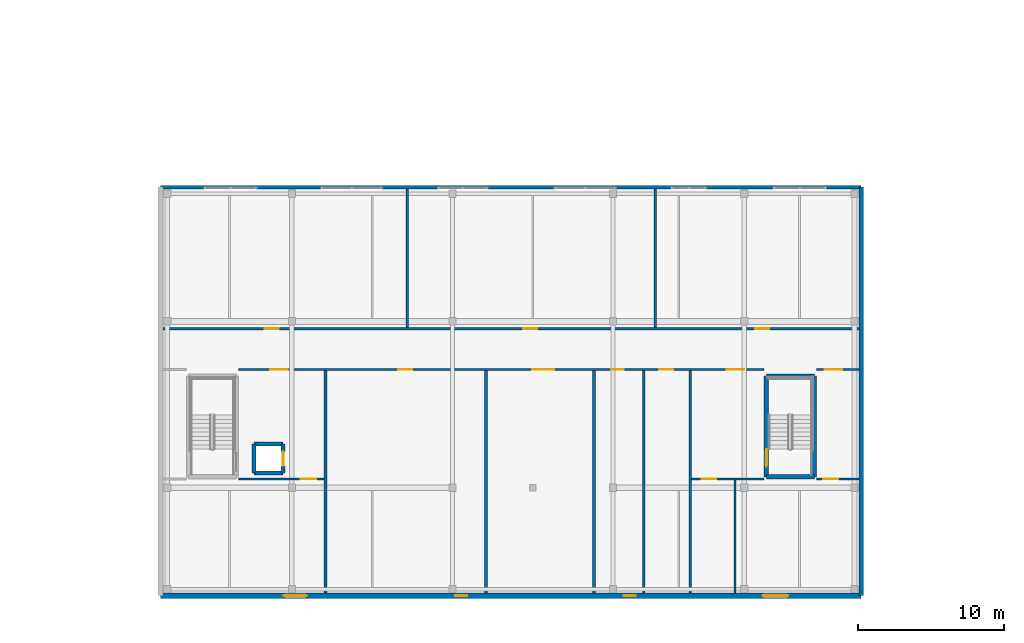
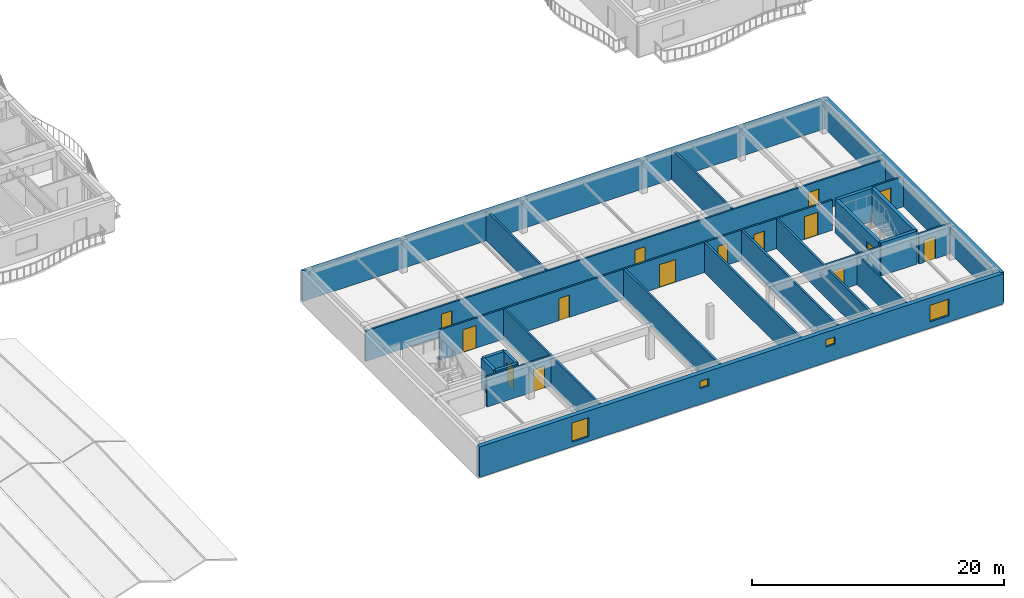
# One storey, part 58 of 89: 25 walls, 15 doors, 4 windows, 19 openings.
"""IFC4 building model written with IfcOpenShell, lengths in metres."""

from ifc_helpers import new_model, si_unit, direction, frame, frame_2d, origin, place, context, subcontext, project, spatial, rectangle, extrude, material, layer, layer_set, type_object, element, fill, save


model = new_model("IFC4")

# Units and contexts
model_context = context("Model", 3, precision=1e-05, world=origin(), true_north=direction((0.0, 1.0)))
body_context = subcontext(model_context, "Body", "Model", "MODEL_VIEW")
ifc_project = project(units=[si_unit("LENGTHUNIT", "METRE"), si_unit("AREAUNIT", "SQUARE_METRE"), si_unit("VOLUMEUNIT", "CUBIC_METRE"), si_unit("PLANEANGLEUNIT", "RADIAN"), si_unit("MASSUNIT", "GRAM", prefix="KILO")], contexts=[model_context])

# Site, building, storey
site_placement = place(None, origin())
site = spatial("IfcSite", under=ifc_project, at=site_placement, CompositionType="ELEMENT")
building_placement = place(site_placement, origin())
building = spatial("IfcBuilding", under=site, at=building_placement, Name="Keldmere Railside Commons", CompositionType="ELEMENT")
storey_placement = place(building_placement, frame((0.0, 0.0, 7.360107421875)))
storey = spatial("IfcBuildingStorey", under=building, at=storey_placement, Name="L02", CompositionType="ELEMENT", Elevation=7.360107421875)

# Walls
ifc_material_1 = material(Name="Acoustic Gypsum Board Partition", Category="gypsum")
ifc_layer_1 = layer(ifc_material_1, 0.179931640625, Name="Acoustic Demising Partition 180")
ifc_layer_set_1 = layer_set([ifc_layer_1], Name="Acoustic Gypsum Board Partition")
wall_type_1 = type_object("IfcWallType", Name="Acoustic Demising Partition 180", PredefinedType="PARTITIONING", material=ifc_layer_set_1)
for number, where, z_axis, x_axis, name in (
    (1, (139.300048828125, 12.199951171875, 0.0), (0.0, 0.0, 1.0), (0.0, 1.0, 0.0), "IW-1 IW-L02-0168"),
    (2, (164.300048828125, 12.199951171875, 0.0), (0.0, 0.0, 1.0), (0.0, 1.0, 0.0), "IW-1 IW-L02-0169"),
):
    element("IfcWall", number, at=place(storey_placement, frame(where, z_axis=z_axis, x_axis=x_axis)), inside=storey, type_object=wall_type_1, Name=name, PredefinedType="PARTITIONING", context=body_context, shape_type="SweptSolid", body=[
        extrude(rectangle(XDim=15.219970703125, YDim=0.179931640625, at=frame_2d((7.60986328125, 0.0))), origin(), (0.0, 0.0, 1.0), 2.929931640625),
    ])
for number, where, z_axis, x_axis, name in (
    (3, (144.89990234375, 30.3798828125, 0.0), (0.0, 0.0, 1.0), (0.0, 1.0, 0.0), "IW-1 IW-L02-0170"),
    (4, (161.89990234375, 30.3798828125, 0.0), (0.0, 0.0, 1.0), (0.0, 1.0, 0.0), "IW-1 IW-L02-0171"),
):
    element("IfcWall", number, at=place(storey_placement, frame(where, z_axis=z_axis, x_axis=x_axis)), inside=storey, type_object=wall_type_1, Name=name, PredefinedType="PARTITIONING", context=body_context, shape_type="SweptSolid", body=[
        extrude(rectangle(XDim=9.5, YDim=0.179931640625, at=frame_2d((4.75, 0.0))), origin(), (0.0, 0.0, 1.0), 2.929931640625),
    ])
for number, where, z_axis, x_axis, name in (
    (5, (150.300048828125, 12.199951171875, 0.0), (0.0, 0.0, 1.0), (0.0, 1.0, 0.0), "IW-1 IW-L02-0172"),
    (6, (157.699951171875, 12.199951171875, 0.0), (0.0, 0.0, 1.0), (0.0, 1.0, 0.0), "IW-1 IW-L02-0173"),
    (7, (161.10009765625, 12.199951171875, 0.0), (0.0, 0.0, 1.0), (0.0, 1.0, 0.0), "IW-1 IW-L02-0174"),
):
    element("IfcWall", number, at=place(storey_placement, frame(where, z_axis=z_axis, x_axis=x_axis)), inside=storey, type_object=wall_type_1, Name=name, PredefinedType="PARTITIONING", context=body_context, shape_type="SweptSolid", body=[
        extrude(rectangle(XDim=15.219970703125, YDim=0.179931640625, at=frame_2d((7.60986328125, 0.0))), origin(), (0.0, 0.0, 1.0), 2.929931640625),
    ])

# Wall, openings, windows
ifc_material_2 = material(Name="Terracotta Brick Masonry", Category="masonry")
ifc_layer_2 = layer(ifc_material_2, 0.39990234375, Name="Civic Brick Cavity Wall 400")
ifc_layer_set_2 = layer_set([ifc_layer_2], Name="Terracotta Brick Masonry")
wall_type_2 = type_object("IfcWallType", Name="Civic Brick Cavity Wall 400", PredefinedType="SOLIDWALL", material=ifc_layer_set_2)
wall_1_placement = place(storey_placement, frame((176.0, 12.0, 0.0), z_axis=(0.0, 0.0, 1.0), x_axis=(-1.0, 0.0, 0.0)))
wall_1 = element("IfcWall", 8, at=wall_1_placement, inside=storey, type_object=wall_type_2, Name="EW-3 ARCS-L02-1021", PredefinedType="SOLIDWALL", context=body_context, shape_type="SweptSolid", body=[
    extrude(rectangle(XDim=48.0, YDim=0.39990234375, at=frame_2d((24.0, 0.0))), origin(), (0.0, 0.0, 1.0), 2.949951171875),
])
opening_1_placement = place(wall_1_placement, frame((5.0, 0.0, 0.6201171875)))
opening_1 = element("IfcOpeningElement", 9, at=opening_1_placement, cuts=wall_1, Name="Opening WN-34", PredefinedType="OPENING", context=body_context, shape_type="SweptSolid", body=[
    extrude(rectangle(XDim=1.75, YDim=1.60009765625, at=frame_2d((0.875, 0.800048828125))), frame((0.0, 0.2099609375, 0.0), z_axis=(0.0, -1.0, 0.0), x_axis=(1.0, 0.0, 0.0)), (0.0, 0.0, 1.0), 0.419921875),
])
opening_2_placement = place(wall_1_placement, frame((15.449951171875, 0.0, 1.52001953125)))
opening_2 = element("IfcOpeningElement", 10, at=opening_2_placement, cuts=wall_1, Name="Opening WN-36", PredefinedType="OPENING", context=body_context, shape_type="SweptSolid", body=[
    extrude(rectangle(XDim=0.800048828125, YDim=0.699951171875, at=frame_2d((0.39990234375, 0.35009765625))), frame((0.0, 0.2099609375, 0.0), z_axis=(0.0, -1.0, 0.0), x_axis=(1.0, 0.0, 0.0)), (0.0, 0.0, 1.0), 0.419921875),
])
opening_3_placement = place(wall_1_placement, frame((27.0, 0.0, 1.52001953125)))
opening_3 = element("IfcOpeningElement", 11, at=opening_3_placement, cuts=wall_1, Name="Opening WN-36", PredefinedType="OPENING", context=body_context, shape_type="SweptSolid", body=[
    extrude(rectangle(XDim=0.800048828125, YDim=0.699951171875, at=frame_2d((0.39990234375, 0.35009765625))), frame((0.0, 0.2099609375, 0.0), z_axis=(0.0, -1.0, 0.0), x_axis=(1.0, 0.0, 0.0)), (0.0, 0.0, 1.0), 0.419921875),
])
opening_4_placement = place(wall_1_placement, frame((38.0, 0.0, 0.449951171875)))
opening_4 = element("IfcOpeningElement", 12, at=opening_4_placement, cuts=wall_1, Name="Opening WN-35", PredefinedType="OPENING", context=body_context, shape_type="SweptSolid", body=[
    extrude(rectangle(XDim=1.550048828125, YDim=1.85009765625, at=frame_2d((0.77490234375, 0.925048828125))), frame((0.0, 0.2099609375, 0.0), z_axis=(0.0, -1.0, 0.0), x_axis=(1.0, 0.0, 0.0)), (0.0, 0.0, 1.0), 0.419921875),
])
ifc_material_3 = material(Name="Low-E Insulated Double Glazing", Category="glass")
window_type_1 = type_object("IfcWindowType", Name="Market Arcade Cafe Drum Window 1550x1850", PartitioningType="SINGLE_PANEL", PredefinedType="WINDOW", material=ifc_material_3)
window_1_placement = place(opening_4_placement, origin())
window_1 = element("IfcWindow", 13, at=window_1_placement, inside=storey, type_object=window_type_1, Name="WN-35 WIN-L02-0846", OverallHeight=1.85009765625, OverallWidth=1.550048828125, PartitioningType="SINGLE_PANEL", PredefinedType="WINDOW", context=body_context, shape_type="SweptSolid", body=[
    extrude(rectangle(XDim=1.550048828125, YDim=1.85009765625, at=frame_2d((0.77490234375, 0.925048828125))), frame((0.0, 0.030029296875, 0.0), z_axis=(0.0, -1.0, 0.0), x_axis=(1.0, 0.0, 0.0)), (0.0, 0.0, 1.0), 0.06005859375),
])
fill(opening_4, window_1)
window_type_2 = type_object("IfcWindowType", Name="Market Arcade Gallery Casement Window 1750x1600", PartitioningType="SINGLE_PANEL", PredefinedType="WINDOW", material=ifc_material_3)
window_2_placement = place(opening_1_placement, origin())
window_2 = element("IfcWindow", 14, at=window_2_placement, inside=storey, type_object=window_type_2, Name="WN-34 WIN-L02-0843", OverallHeight=1.60009765625, OverallWidth=1.75, PartitioningType="SINGLE_PANEL", PredefinedType="WINDOW", context=body_context, shape_type="SweptSolid", body=[
    extrude(rectangle(XDim=1.75, YDim=1.60009765625, at=frame_2d((0.875, 0.800048828125))), frame((0.0, 0.030029296875, 0.0), z_axis=(0.0, -1.0, 0.0), x_axis=(1.0, 0.0, 0.0)), (0.0, 0.0, 1.0), 0.06005859375),
])
fill(opening_1, window_2)
window_type_3 = type_object("IfcWindowType", Name="Public WC High Ventilation Window 800x700", PartitioningType="SINGLE_PANEL", PredefinedType="WINDOW", material=ifc_material_3)
window_3_placement = place(opening_2_placement, origin())
window_3 = element("IfcWindow", 15, at=window_3_placement, inside=storey, type_object=window_type_3, Name="WN-36 WIN-L02-0844", OverallHeight=0.699951171875, OverallWidth=0.800048828125, PartitioningType="SINGLE_PANEL", PredefinedType="WINDOW", context=body_context, shape_type="SweptSolid", body=[
    extrude(rectangle(XDim=0.800048828125, YDim=0.699951171875, at=frame_2d((0.39990234375, 0.35009765625))), frame((0.0, 0.030029296875, 0.0), z_axis=(0.0, -1.0, 0.0), x_axis=(1.0, 0.0, 0.0)), (0.0, 0.0, 1.0), 0.06005859375),
])
fill(opening_2, window_3)
window_4_placement = place(opening_3_placement, origin())
window_4 = element("IfcWindow", 16, at=window_4_placement, inside=storey, type_object=window_type_3, Name="WN-36 WIN-L02-0845", OverallHeight=0.699951171875, OverallWidth=0.800048828125, PartitioningType="SINGLE_PANEL", PredefinedType="WINDOW", context=body_context, shape_type="SweptSolid", body=[
    extrude(rectangle(XDim=0.800048828125, YDim=0.699951171875, at=frame_2d((0.39990234375, 0.35009765625))), frame((0.0, 0.030029296875, 0.0), z_axis=(0.0, -1.0, 0.0), x_axis=(1.0, 0.0, 0.0)), (0.0, 0.0, 1.0), 0.06005859375),
])
fill(opening_3, window_4)

# Wall, opening, door
ifc_material_4 = material(Name="Concrete H-35 (C35/45)", Category="concrete")
ifc_layer_3 = layer(ifc_material_4, 0.280029296875, Name="Core Shear Wall 280")
ifc_layer_set_3 = layer_set([ifc_layer_3], Name="Concrete H-35 (C35/45)")
wall_type_3 = type_object("IfcWallType", Name="Core Shear Wall 280", PredefinedType="SHEAR", material=ifc_layer_set_3)
wall_2_placement = place(storey_placement, frame((136.39990234375, 20.39990234375, 0.0), z_axis=(0.0, 0.0, 1.0), x_axis=(0.0, 1.0, 0.0)))
wall_2 = element("IfcWall", 17, at=wall_2_placement, inside=storey, type_object=wall_type_3, Name="CSW-2 ALSH-L02-1025", PredefinedType="SHEAR", context=body_context, shape_type="SweptSolid", body=[
    extrude(rectangle(XDim=2.0, YDim=0.280029296875, at=frame_2d((1.0, 0.0))), origin(), (0.0, 0.0, 1.0), 2.949951171875),
])
opening_5_placement = place(wall_2_placement, frame((0.5, 0.0, 0.0)))
opening_5 = element("IfcOpeningElement", 18, at=opening_5_placement, cuts=wall_2, Name="Opening LD-3", PredefinedType="OPENING", context=body_context, shape_type="SweptSolid", body=[
    extrude(rectangle(XDim=0.949951171875, YDim=2.14990234375, at=frame_2d((0.47509765625, 1.074951171875))), frame((0.0, 0.14990234375, 0.0), z_axis=(0.0, -1.0, 0.0), x_axis=(1.0, 0.0, 0.0)), (0.0, 0.0, 1.0), 0.300048828125),
])
ifc_material_5 = material(Name="Steel F-24 (S235)", Category="steel")
door_type_1 = type_object("IfcDoorType", Name="Civic Lift Sliding Landing Door 950x2150", OperationType="SLIDING_TO_LEFT", PredefinedType="DOOR", material=ifc_material_5)
door_1_placement = place(opening_5_placement, origin())
door_1 = element("IfcDoor", 19, at=door_1_placement, inside=storey, type_object=door_type_1, Name="LD-3 PL-M1 L02", OperationType="SLIDING_TO_LEFT", OverallHeight=2.14990234375, OverallWidth=0.949951171875, PredefinedType="DOOR", context=body_context, shape_type="SweptSolid", body=[
    extrude(rectangle(XDim=0.949951171875, YDim=2.14990234375, at=frame_2d((0.47509765625, 1.074951171875))), frame((0.0, 0.02490234375, 0.0), z_axis=(0.0, -1.0, 0.0), x_axis=(1.0, 0.0, 0.0)), (0.0, 0.0, 1.0), 0.050048828125),
])
fill(opening_5, door_1)

# Walls
for number, where, z_axis, x_axis, name in (
    (20, (134.39990234375, 20.39990234375, 0.0), (0.0, 0.0, 1.0), (0.0, 1.0, 0.0), "CSW-2 ALSHB-L02-1026"),
    (21, (134.39990234375, 20.39990234375, 0.0), (0.0, 0.0, 1.0), (1.0, 0.0, 0.0), "CSW-2 ALSHS-L02-1027"),
    (22, (134.39990234375, 22.39990234375, 0.0), (0.0, 0.0, 1.0), (1.0, 0.0, 0.0), "CSW-2 ALSHN-L02-1028"),
):
    element("IfcWall", number, at=place(storey_placement, frame(where, z_axis=z_axis, x_axis=x_axis)), inside=storey, type_object=wall_type_3, Name=name, PredefinedType="SHEAR", context=body_context, shape_type="SweptSolid", body=[
        extrude(rectangle(XDim=2.0, YDim=0.280029296875, at=frame_2d((1.0, 0.0))), origin(), (0.0, 0.0, 1.0), 2.949951171875),
    ])

# Wall, openings, doors
ifc_layer_4 = layer(ifc_material_1, 0.159912109375, Name="Corridor Fire Partition 160")
ifc_layer_set_4 = layer_set([ifc_layer_4], Name="Acoustic Gypsum Board Partition")
wall_type_4 = type_object("IfcWallType", Name="Corridor Fire Partition 160", PredefinedType="PARTITIONING", material=ifc_layer_set_4)
wall_3_placement = place(storey_placement, frame((133.35009765625, 27.5, 0.0), z_axis=(0.0, 0.0, 1.0), x_axis=(1.0, 0.0, 0.0)))
wall_3 = element("IfcWall", 23, at=wall_3_placement, inside=storey, type_object=wall_type_4, Name="IW-2 IW-L02-0165", PredefinedType="PARTITIONING", context=body_context, shape_type="SweptSolid", body=[
    extrude(rectangle(XDim=36.010009765625, YDim=0.159912109375, at=frame_2d((18.0048828125, 0.0))), origin(), (0.0, 0.0, 1.0), 2.929931640625),
])
opening_6_placement = place(wall_3_placement, frame((2.14990234375, 0.0, 0.0)))
opening_6 = element("IfcOpeningElement", 24, at=opening_6_placement, cuts=wall_3, Name="Opening FD-10", PredefinedType="OPENING", context=body_context, shape_type="SweptSolid", body=[
    extrude(rectangle(XDim=1.199951171875, YDim=2.199951171875, at=frame_2d((0.60009765625, 1.10009765625))), frame((0.0, 0.08984375, 0.0), z_axis=(0.0, -1.0, 0.0), x_axis=(1.0, 0.0, 0.0)), (0.0, 0.0, 1.0), 0.179931640625),
])
opening_7_placement = place(wall_3_placement, frame((33.449951171875, 0.0, 0.0)))
opening_7 = element("IfcOpeningElement", 25, at=opening_7_placement, cuts=wall_3, Name="Opening FD-10", PredefinedType="OPENING", context=body_context, shape_type="SweptSolid", body=[
    extrude(rectangle(XDim=1.199951171875, YDim=2.199951171875, at=frame_2d((0.60009765625, 1.10009765625))), frame((0.0, 0.08984375, 0.0), z_axis=(0.0, -1.0, 0.0), x_axis=(1.0, 0.0, 0.0)), (0.0, 0.0, 1.0), 0.179931640625),
])
opening_8_placement = place(wall_3_placement, frame((10.929931640625, 0.0, 0.0)))
opening_8 = element("IfcOpeningElement", 26, at=opening_8_placement, cuts=wall_3, Name="Opening ID-08", PredefinedType="OPENING", context=body_context, shape_type="SweptSolid", body=[
    extrude(rectangle(XDim=0.9599609375, YDim=2.14990234375, at=frame_2d((0.47998046875, 1.074951171875))), frame((0.0, 0.08984375, 0.0), z_axis=(0.0, -1.0, 0.0), x_axis=(1.0, 0.0, 0.0)), (0.0, 0.0, 1.0), 0.179931640625),
])
opening_9_placement = place(wall_3_placement, frame((20.1298828125, 0.0, 0.0)))
opening_9 = element("IfcOpeningElement", 27, at=opening_9_placement, cuts=wall_3, Name="Opening ID-07", PredefinedType="OPENING", context=body_context, shape_type="SweptSolid", body=[
    extrude(rectangle(XDim=1.5, YDim=2.199951171875, at=frame_2d((0.75, 1.10009765625))), frame((0.0, 0.08984375, 0.0), z_axis=(0.0, -1.0, 0.0), x_axis=(1.0, 0.0, 0.0)), (0.0, 0.0, 1.0), 0.179931640625),
])
opening_10_placement = place(wall_3_placement, frame((25.530029296875, 0.0, 0.0)))
opening_10 = element("IfcOpeningElement", 28, at=opening_10_placement, cuts=wall_3, Name="Opening ID-04", PredefinedType="OPENING", context=body_context, shape_type="SweptSolid", body=[
    extrude(rectangle(XDim=0.860107421875, YDim=2.10009765625, at=frame_2d((0.43017578125, 1.050048828125))), frame((0.0, 0.08984375, 0.0), z_axis=(0.0, -1.0, 0.0), x_axis=(1.0, 0.0, 0.0)), (0.0, 0.0, 1.0), 0.179931640625),
])
opening_11_placement = place(wall_3_placement, frame((28.830078125, 0.0, 0.0)))
opening_11 = element("IfcOpeningElement", 29, at=opening_11_placement, cuts=wall_3, Name="Opening ID-05", PredefinedType="OPENING", context=body_context, shape_type="SweptSolid", body=[
    extrude(rectangle(XDim=0.93994140625, YDim=2.10009765625, at=frame_2d((0.469970703125, 1.050048828125))), frame((0.0, 0.08984375, 0.0), z_axis=(0.0, -1.0, 0.0), x_axis=(1.0, 0.0, 0.0)), (0.0, 0.0, 1.0), 0.179931640625),
])
ifc_material_6 = material(Name="Engineered Oak Timber", Category="wood")
door_type_2 = type_object("IfcDoorType", Name="Accessible Bathroom Door 940x2100", OperationType="NOTDEFINED", PredefinedType="DOOR", material=ifc_material_6)
door_2_placement = place(opening_11_placement, origin())
door_2 = element("IfcDoor", 30, at=door_2_placement, inside=storey, type_object=door_type_2, Name="ID-05 IDR-L02-0094", OperationType="SINGLE_SWING_RIGHT", OverallHeight=2.10009765625, OverallWidth=0.93994140625, PredefinedType="DOOR", context=body_context, shape_type="SweptSolid", body=[
    extrude(rectangle(XDim=0.93994140625, YDim=2.10009765625, at=frame_2d((0.469970703125, 1.050048828125))), frame((0.0, 0.02490234375, 0.0), z_axis=(0.0, -1.0, 0.0), x_axis=(1.0, 0.0, 0.0)), (0.0, 0.0, 1.0), 0.050048828125),
])
fill(opening_11, door_2)
door_type_3 = type_object("IfcDoorType", Name="Apartment Bathroom Door 860x2100", OperationType="NOTDEFINED", PredefinedType="DOOR", material=ifc_material_6)
door_3_placement = place(opening_10_placement, origin())
door_3 = element("IfcDoor", 31, at=door_3_placement, inside=storey, type_object=door_type_3, Name="ID-04 IDR-L02-0093", OperationType="SINGLE_SWING_LEFT", OverallHeight=2.10009765625, OverallWidth=0.860107421875, PredefinedType="DOOR", context=body_context, shape_type="SweptSolid", body=[
    extrude(rectangle(XDim=0.860107421875, YDim=2.10009765625, at=frame_2d((0.43017578125, 1.050048828125))), frame((0.0, 0.02490234375, 0.0), z_axis=(0.0, -1.0, 0.0), x_axis=(1.0, 0.0, 0.0)), (0.0, 0.0, 1.0), 0.050048828125),
])
fill(opening_10, door_3)
door_type_4 = type_object("IfcDoorType", Name="Civic Core Fire Door 1200x2200", OperationType="NOTDEFINED", PredefinedType="DOOR", material=ifc_material_5)
door_4_placement = place(opening_6_placement, origin())
door_4 = element("IfcDoor", 32, at=door_4_placement, inside=storey, type_object=door_type_4, Name="FD-10 IDR-L02-0085", OperationType="SINGLE_SWING_LEFT", OverallHeight=2.199951171875, OverallWidth=1.199951171875, PredefinedType="DOOR", context=body_context, shape_type="SweptSolid", body=[
    extrude(rectangle(XDim=1.199951171875, YDim=2.199951171875, at=frame_2d((0.60009765625, 1.10009765625))), frame((0.0, 0.02490234375, 0.0), z_axis=(0.0, -1.0, 0.0), x_axis=(1.0, 0.0, 0.0)), (0.0, 0.0, 1.0), 0.050048828125),
])
fill(opening_6, door_4)
door_5_placement = place(opening_7_placement, origin())
door_5 = element("IfcDoor", 33, at=door_5_placement, inside=storey, type_object=door_type_4, Name="FD-10 IDR-L02-0086", OperationType="SINGLE_SWING_RIGHT", OverallHeight=2.199951171875, OverallWidth=1.199951171875, PredefinedType="DOOR", context=body_context, shape_type="SweptSolid", body=[
    extrude(rectangle(XDim=1.199951171875, YDim=2.199951171875, at=frame_2d((0.60009765625, 1.10009765625))), frame((0.0, 0.02490234375, 0.0), z_axis=(0.0, -1.0, 0.0), x_axis=(1.0, 0.0, 0.0)), (0.0, 0.0, 1.0), 0.050048828125),
])
fill(opening_7, door_5)
door_type_5 = type_object("IfcDoorType", Name="Resident Lounge Double Door 1500x2200", OperationType="DOUBLE_DOOR_SINGLE_SWING", PredefinedType="DOOR", material=ifc_material_6)
door_6_placement = place(opening_9_placement, origin())
door_6 = element("IfcDoor", 34, at=door_6_placement, inside=storey, type_object=door_type_5, Name="ID-07 IDR-L02-0092", OperationType="DOUBLE_DOOR_SINGLE_SWING", OverallHeight=2.199951171875, OverallWidth=1.5, PredefinedType="DOOR", context=body_context, shape_type="SweptSolid", body=[
    extrude(rectangle(XDim=1.5, YDim=2.199951171875, at=frame_2d((0.75, 1.10009765625))), frame((0.0, 0.02490234375, 0.0), z_axis=(0.0, -1.0, 0.0), x_axis=(1.0, 0.0, 0.0)), (0.0, 0.0, 1.0), 0.050048828125),
])
fill(opening_9, door_6)
door_type_6 = type_object("IfcDoorType", Name="Study & Meeting Room Door 960x2150", OperationType="NOTDEFINED", PredefinedType="DOOR", material=ifc_material_6)
door_7_placement = place(opening_8_placement, origin())
door_7 = element("IfcDoor", 35, at=door_7_placement, inside=storey, type_object=door_type_6, Name="ID-08 IDR-L02-0091", OperationType="SINGLE_SWING_LEFT", OverallHeight=2.14990234375, OverallWidth=0.9599609375, PredefinedType="DOOR", context=body_context, shape_type="SweptSolid", body=[
    extrude(rectangle(XDim=0.9599609375, YDim=2.14990234375, at=frame_2d((0.47998046875, 1.074951171875))), frame((0.0, 0.02490234375, 0.0), z_axis=(0.0, -1.0, 0.0), x_axis=(1.0, 0.0, 0.0)), (0.0, 0.0, 1.0), 0.050048828125),
])
fill(opening_8, door_7)

# Wall, opening, door
wall_4_placement = place(storey_placement, frame((172.949951171875, 27.5, 0.0), z_axis=(0.0, 0.0, 1.0), x_axis=(1.0, 0.0, 0.0)))
wall_4 = element("IfcWall", 36, at=wall_4_placement, inside=storey, type_object=wall_type_4, Name="IW-2 IW-L02-0166", PredefinedType="PARTITIONING", context=body_context, shape_type="SweptSolid", body=[
    extrude(rectangle(XDim=2.89013671875, YDim=0.159912109375, at=frame_2d((1.445068359375, 0.0))), origin(), (0.0, 0.0, 1.0), 2.929931640625),
])
opening_12_placement = place(wall_4_placement, frame((0.550048828125, 0.0, 0.0)))
opening_12 = element("IfcOpeningElement", 37, at=opening_12_placement, cuts=wall_4, Name="Opening FD-10", PredefinedType="OPENING", context=body_context, shape_type="SweptSolid", body=[
    extrude(rectangle(XDim=1.199951171875, YDim=2.199951171875, at=frame_2d((0.60009765625, 1.10009765625))), frame((0.0, 0.08984375, 0.0), z_axis=(0.0, -1.0, 0.0), x_axis=(1.0, 0.0, 0.0)), (0.0, 0.0, 1.0), 0.179931640625),
])
door_8_placement = place(opening_12_placement, origin())
door_8 = element("IfcDoor", 38, at=door_8_placement, inside=storey, type_object=door_type_4, Name="FD-10 IDR-L02-0087", OperationType="SINGLE_SWING_LEFT", OverallHeight=2.199951171875, OverallWidth=1.199951171875, PredefinedType="DOOR", context=body_context, shape_type="SweptSolid", body=[
    extrude(rectangle(XDim=1.199951171875, YDim=2.199951171875, at=frame_2d((0.60009765625, 1.10009765625))), frame((0.0, 0.02490234375, 0.0), z_axis=(0.0, -1.0, 0.0), x_axis=(1.0, 0.0, 0.0)), (0.0, 0.0, 1.0), 0.050048828125),
])
fill(opening_12, door_8)

# Wall, openings, doors
wall_5_placement = place(storey_placement, frame((128.159912109375, 30.300048828125, 0.0), z_axis=(0.0, 0.0, 1.0), x_axis=(1.0, 0.0, 0.0)))
wall_5 = element("IfcWall", 39, at=wall_5_placement, inside=storey, type_object=wall_type_4, Name="IW-2 IW-L02-0167", PredefinedType="PARTITIONING", context=body_context, shape_type="SweptSolid", body=[
    extrude(rectangle(XDim=47.68017578125, YDim=0.159912109375, at=frame_2d((23.840087890625, 0.0))), origin(), (0.0, 0.0, 1.0), 2.929931640625),
])
opening_13_placement = place(wall_5_placement, frame((6.985107421875, 0.0, 0.0)))
opening_13 = element("IfcOpeningElement", 40, at=opening_13_placement, cuts=wall_5, Name="Opening ID-08", PredefinedType="OPENING", context=body_context, shape_type="SweptSolid", body=[
    extrude(rectangle(XDim=0.9599609375, YDim=2.14990234375, at=frame_2d((0.47998046875, 1.074951171875))), frame((0.0, 0.08984375, 0.0), z_axis=(0.0, -1.0, 0.0), x_axis=(1.0, 0.0, 0.0)), (0.0, 0.0, 1.0), 0.179931640625),
])
opening_14_placement = place(wall_5_placement, frame((24.68994140625, 0.0, 0.0)))
opening_14 = element("IfcOpeningElement", 41, at=opening_14_placement, cuts=wall_5, Name="Opening ID-08", PredefinedType="OPENING", context=body_context, shape_type="SweptSolid", body=[
    extrude(rectangle(XDim=0.9599609375, YDim=2.14990234375, at=frame_2d((0.47998046875, 1.074951171875))), frame((0.0, 0.08984375, 0.0), z_axis=(0.0, -1.0, 0.0), x_axis=(1.0, 0.0, 0.0)), (0.0, 0.0, 1.0), 0.179931640625),
])
opening_15_placement = place(wall_5_placement, frame((40.594970703125, 0.0, 0.0)))
opening_15 = element("IfcOpeningElement", 42, at=opening_15_placement, cuts=wall_5, Name="Opening ID-08", PredefinedType="OPENING", context=body_context, shape_type="SweptSolid", body=[
    extrude(rectangle(XDim=0.9599609375, YDim=2.14990234375, at=frame_2d((0.47998046875, 1.074951171875))), frame((0.0, 0.08984375, 0.0), z_axis=(0.0, -1.0, 0.0), x_axis=(1.0, 0.0, 0.0)), (0.0, 0.0, 1.0), 0.179931640625),
])
door_9_placement = place(opening_13_placement, origin())
door_9 = element("IfcDoor", 43, at=door_9_placement, inside=storey, type_object=door_type_6, Name="ID-08 IDR-L02-0088", OperationType="SINGLE_SWING_RIGHT", OverallHeight=2.14990234375, OverallWidth=0.9599609375, PredefinedType="DOOR", context=body_context, shape_type="SweptSolid", body=[
    extrude(rectangle(XDim=0.9599609375, YDim=2.14990234375, at=frame_2d((0.47998046875, 1.074951171875))), frame((0.0, 0.02490234375, 0.0), z_axis=(0.0, -1.0, 0.0), x_axis=(1.0, 0.0, 0.0)), (0.0, 0.0, 1.0), 0.050048828125),
])
fill(opening_13, door_9)
door_10_placement = place(opening_14_placement, origin())
door_10 = element("IfcDoor", 44, at=door_10_placement, inside=storey, type_object=door_type_6, Name="ID-08 IDR-L02-0089", OperationType="SINGLE_SWING_LEFT", OverallHeight=2.14990234375, OverallWidth=0.9599609375, PredefinedType="DOOR", context=body_context, shape_type="SweptSolid", body=[
    extrude(rectangle(XDim=0.9599609375, YDim=2.14990234375, at=frame_2d((0.47998046875, 1.074951171875))), frame((0.0, 0.02490234375, 0.0), z_axis=(0.0, -1.0, 0.0), x_axis=(1.0, 0.0, 0.0)), (0.0, 0.0, 1.0), 0.050048828125),
])
fill(opening_14, door_10)
door_11_placement = place(opening_15_placement, origin())
door_11 = element("IfcDoor", 45, at=door_11_placement, inside=storey, type_object=door_type_6, Name="ID-08 IDR-L02-0090", OperationType="SINGLE_SWING_RIGHT", OverallHeight=2.14990234375, OverallWidth=0.9599609375, PredefinedType="DOOR", context=body_context, shape_type="SweptSolid", body=[
    extrude(rectangle(XDim=0.9599609375, YDim=2.14990234375, at=frame_2d((0.47998046875, 1.074951171875))), frame((0.0, 0.02490234375, 0.0), z_axis=(0.0, -1.0, 0.0), x_axis=(1.0, 0.0, 0.0)), (0.0, 0.0, 1.0), 0.050048828125),
])
fill(opening_15, door_11)

# Wall, opening, door
wall_6_placement = place(storey_placement, frame((133.35009765625, 20.0, 0.0), z_axis=(0.0, 0.0, 1.0), x_axis=(1.0, 0.0, 0.0)))
wall_6 = element("IfcWall", 46, at=wall_6_placement, inside=storey, type_object=wall_type_4, Name="IW-2 IW-L02-0176", PredefinedType="PARTITIONING", context=body_context, shape_type="SweptSolid", body=[
    extrude(rectangle(XDim=5.85986328125, YDim=0.159912109375, at=frame_2d((2.929931640625, 0.0))), origin(), (0.0, 0.0, 1.0), 2.929931640625),
])
opening_16_placement = place(wall_6_placement, frame((4.260009765625, 0.0, 0.0)))
opening_16 = element("IfcOpeningElement", 47, at=opening_16_placement, cuts=wall_6, Name="Opening ID-14", PredefinedType="OPENING", context=body_context, shape_type="SweptSolid", body=[
    extrude(rectangle(XDim=1.0400390625, YDim=2.14990234375, at=frame_2d((0.52001953125, 1.074951171875))), frame((0.0, 0.08984375, 0.0), z_axis=(0.0, -1.0, 0.0), x_axis=(1.0, 0.0, 0.0)), (0.0, 0.0, 1.0), 0.179931640625),
])
door_type_7 = type_object("IfcDoorType", Name="Market Shop Back-of-House Door 1040x2150", OperationType="NOTDEFINED", PredefinedType="DOOR", material=ifc_material_5)
door_12_placement = place(opening_16_placement, origin())
door_12 = element("IfcDoor", 48, at=door_12_placement, inside=storey, type_object=door_type_7, Name="ID-14 IDR-L02-0095", OperationType="SINGLE_SWING_LEFT", OverallHeight=2.14990234375, OverallWidth=1.0400390625, PredefinedType="DOOR", context=body_context, shape_type="SweptSolid", body=[
    extrude(rectangle(XDim=1.0400390625, YDim=2.14990234375, at=frame_2d((0.52001953125, 1.074951171875))), frame((0.0, 0.02490234375, 0.0), z_axis=(0.0, -1.0, 0.0), x_axis=(1.0, 0.0, 0.0)), (0.0, 0.0, 1.0), 0.050048828125),
])
fill(opening_16, door_12)

wall_7_placement = place(storey_placement, frame((164.389892578125, 20.0, 0.0), z_axis=(0.0, 0.0, 1.0), x_axis=(1.0, 0.0, 0.0)))
wall_7 = element("IfcWall", 49, at=wall_7_placement, inside=storey, type_object=wall_type_4, Name="IW-2 IW-L02-0177", PredefinedType="PARTITIONING", context=body_context, shape_type="SweptSolid", body=[
    extrude(rectangle(XDim=4.97021484375, YDim=0.159912109375, at=frame_2d((2.485107421875, 0.0))), origin(), (0.0, 0.0, 1.0), 2.929931640625),
])
opening_17_placement = place(wall_7_placement, frame((0.699951171875, 0.0, 0.0)))
opening_17 = element("IfcOpeningElement", 50, at=opening_17_placement, cuts=wall_7, Name="Opening FD-9", PredefinedType="OPENING", context=body_context, shape_type="SweptSolid", body=[
    extrude(rectangle(XDim=1.0, YDim=2.10009765625, at=frame_2d((0.5, 1.050048828125))), frame((0.0, 0.08984375, 0.0), z_axis=(0.0, -1.0, 0.0), x_axis=(1.0, 0.0, 0.0)), (0.0, 0.0, 1.0), 0.179931640625),
])
door_type_8 = type_object("IfcDoorType", Name="Waste & Storage Fire Door 1000x2100", OperationType="NOTDEFINED", PredefinedType="DOOR", material=ifc_material_5)
door_13_placement = place(opening_17_placement, origin())
door_13 = element("IfcDoor", 51, at=door_13_placement, inside=storey, type_object=door_type_8, Name="FD-9 IDR-L02-0096", OperationType="SINGLE_SWING_RIGHT", OverallHeight=2.10009765625, OverallWidth=1.0, PredefinedType="DOOR", context=body_context, shape_type="SweptSolid", body=[
    extrude(rectangle(XDim=1.0, YDim=2.10009765625, at=frame_2d((0.5, 1.050048828125))), frame((0.0, 0.02490234375, 0.0), z_axis=(0.0, -1.0, 0.0), x_axis=(1.0, 0.0, 0.0)), (0.0, 0.0, 1.0), 0.050048828125),
])
fill(opening_17, door_13)

wall_8_placement = place(storey_placement, frame((172.949951171875, 20.0, 0.0), z_axis=(0.0, 0.0, 1.0), x_axis=(1.0, 0.0, 0.0)))
wall_8 = element("IfcWall", 52, at=wall_8_placement, inside=storey, type_object=wall_type_4, Name="IW-2 IW-L02-0178", PredefinedType="PARTITIONING", context=body_context, shape_type="SweptSolid", body=[
    extrude(rectangle(XDim=2.89013671875, YDim=0.159912109375, at=frame_2d((1.445068359375, 0.0))), origin(), (0.0, 0.0, 1.0), 2.929931640625),
])
opening_18_placement = place(wall_8_placement, frame((0.449951171875, 0.0, 0.0)))
opening_18 = element("IfcOpeningElement", 53, at=opening_18_placement, cuts=wall_8, Name="Opening ID-14", PredefinedType="OPENING", context=body_context, shape_type="SweptSolid", body=[
    extrude(rectangle(XDim=1.0400390625, YDim=2.14990234375, at=frame_2d((0.52001953125, 1.074951171875))), frame((0.0, 0.08984375, 0.0), z_axis=(0.0, -1.0, 0.0), x_axis=(1.0, 0.0, 0.0)), (0.0, 0.0, 1.0), 0.179931640625),
])
door_14_placement = place(opening_18_placement, origin())
door_14 = element("IfcDoor", 54, at=door_14_placement, inside=storey, type_object=door_type_7, Name="ID-14 IDR-L02-0097", OperationType="SINGLE_SWING_LEFT", OverallHeight=2.14990234375, OverallWidth=1.0400390625, PredefinedType="DOOR", context=body_context, shape_type="SweptSolid", body=[
    extrude(rectangle(XDim=1.0400390625, YDim=2.14990234375, at=frame_2d((0.52001953125, 1.074951171875))), frame((0.0, 0.02490234375, 0.0), z_axis=(0.0, -1.0, 0.0), x_axis=(1.0, 0.0, 0.0)), (0.0, 0.0, 1.0), 0.050048828125),
])
fill(opening_18, door_14)

# Walls
ifc_layer_5 = layer(ifc_material_4, 0.320068359375, Name="Exterior Shear Wall 320")
ifc_layer_set_5 = layer_set([ifc_layer_5], Name="Concrete H-35 (C35/45)")
wall_type_5 = type_object("IfcWallType", Name="Exterior Shear Wall 320", PredefinedType="SHEAR", material=ifc_layer_set_5)
wall_9_placement = place(storey_placement, frame((176.0, 40.0, 0.0), z_axis=(0.0, 0.0, 1.0), x_axis=(0.0, -1.0, 0.0)))
element("IfcWall", 55, at=wall_9_placement, inside=storey, type_object=wall_type_5, Name="ESW-2 ARCE-L02-1024", PredefinedType="SHEAR", context=body_context, shape_type="SweptSolid", body=[
    extrude(rectangle(XDim=28.0, YDim=0.320068359375, at=frame_2d((14.0, 0.0))), origin(), (0.0, 0.0, 1.0), 2.949951171875),
])
ifc_layer_6 = layer(ifc_material_4, 0.300048828125, Name="Interior Shear Wall 300")
ifc_layer_set_6 = layer_set([ifc_layer_6], Name="Concrete H-35 (C35/45)")
wall_type_6 = type_object("IfcWallType", Name="Interior Shear Wall 300", PredefinedType="SHEAR", material=ifc_layer_set_6)
wall_10_placement = place(storey_placement, frame((172.800048828125, 20.14990234375, 0.0), z_axis=(0.0, 0.0, 1.0), x_axis=(-1.0, 0.0, 0.0)))
element("IfcWall", 56, at=wall_10_placement, inside=storey, type_object=wall_type_6, Name="ISW-2 WAL-ST-M2-L02-S", PredefinedType="SHEAR", context=body_context, shape_type="SweptSolid", body=[
    extrude(rectangle(XDim=3.2900390625, YDim=0.300048828125, at=frame_2d((1.64501953125, 0.0))), origin(), (0.0, 0.0, 1.0), 3.199951171875),
])
wall_11_placement = place(storey_placement, frame((172.800048828125, 27.050048828125, 0.0), z_axis=(0.0, 0.0, 1.0), x_axis=(0.0, -1.0, 0.0)))
element("IfcWall", 57, at=wall_11_placement, inside=storey, type_object=wall_type_6, Name="ISW-2 WAL-ST-M2-L02-E", PredefinedType="SHEAR", context=body_context, shape_type="SweptSolid", body=[
    extrude(rectangle(XDim=6.900146484375, YDim=0.300048828125, at=frame_2d((3.4501953125, 0.0))), origin(), (0.0, 0.0, 1.0), 3.199951171875),
])
wall_12_placement = place(storey_placement, frame((169.510009765625, 27.050048828125, 0.0), z_axis=(0.0, 0.0, 1.0), x_axis=(1.0, 0.0, 0.0)))
element("IfcWall", 58, at=wall_12_placement, inside=storey, type_object=wall_type_6, Name="ISW-2 WAL-ST-M2-L02-N", PredefinedType="SHEAR", context=body_context, shape_type="SweptSolid", body=[
    extrude(rectangle(XDim=3.2900390625, YDim=0.300048828125, at=frame_2d((1.64501953125, 0.0))), origin(), (0.0, 0.0, 1.0), 3.199951171875),
])

# Wall, opening, door
wall_13_placement = place(storey_placement, frame((169.510009765625, 20.14990234375, 0.0), z_axis=(0.0, 0.0, 1.0), x_axis=(0.0, 1.0, 0.0)))
wall_13 = element("IfcWall", 59, at=wall_13_placement, inside=storey, type_object=wall_type_6, Name="ISW-2 WAL-ST-M2-L02-W", PredefinedType="SHEAR", context=body_context, shape_type="SweptSolid", body=[
    extrude(rectangle(XDim=6.900146484375, YDim=0.300048828125, at=frame_2d((3.4501953125, 0.0))), origin(), (0.0, 0.0, 1.0), 3.199951171875),
])
opening_19_placement = place(wall_13_placement, frame((0.699951171875, 0.0, 0.0)))
opening_19 = element("IfcOpeningElement", 60, at=opening_19_placement, cuts=wall_13, Name="Opening FD-10", PredefinedType="OPENING", context=body_context, shape_type="SweptSolid", body=[
    extrude(rectangle(XDim=1.199951171875, YDim=2.199951171875, at=frame_2d((0.60009765625, 1.10009765625))), frame((0.0, 0.159912109375, 0.0), z_axis=(0.0, -1.0, 0.0), x_axis=(1.0, 0.0, 0.0)), (0.0, 0.0, 1.0), 0.320068359375),
])
door_15_placement = place(opening_19_placement, origin())
door_15 = element("IfcDoor", 61, at=door_15_placement, inside=storey, type_object=door_type_4, Name="FD-3 ST-M2 L02", OperationType="SINGLE_SWING_LEFT", OverallHeight=2.199951171875, OverallWidth=1.199951171875, PredefinedType="DOOR", context=body_context, shape_type="SweptSolid", body=[
    extrude(rectangle(XDim=1.199951171875, YDim=2.199951171875, at=frame_2d((0.60009765625, 1.10009765625))), frame((0.0, 0.02490234375, 0.0), z_axis=(0.0, -1.0, 0.0), x_axis=(1.0, 0.0, 0.0)), (0.0, 0.0, 1.0), 0.050048828125),
])
fill(opening_19, door_15)

# Walls
ifc_material_7 = material(Name="Architectural Precast Concrete H-35 (C35/45)", Category="concrete")
ifc_layer_7 = layer(ifc_material_7, 0.239990234375, Name="Sand-Ochre Precast Cavity Wall 240")
ifc_layer_set_7 = layer_set([ifc_layer_7], Name="Architectural Precast Concrete H-35 (C35/45)")
wall_type_7 = type_object("IfcWallType", Name="Sand-Ochre Precast Cavity Wall 240", PredefinedType="SOLIDWALL", material=ifc_layer_set_7)
wall_14_placement = place(storey_placement, frame((128.0, 40.0, 0.0), z_axis=(0.0, 0.0, 1.0), x_axis=(1.0, 0.0, 0.0)))
element("IfcWall", 62, at=wall_14_placement, inside=storey, type_object=wall_type_7, Name="EW-2 ARCN-L02-1023", PredefinedType="SOLIDWALL", context=body_context, shape_type="SweptSolid", body=[
    extrude(rectangle(XDim=48.0, YDim=0.239990234375, at=frame_2d((24.0, 0.0))), origin(), (0.0, 0.0, 1.0), 2.949951171875),
])
ifc_layer_8 = layer(ifc_material_1, 0.139892578125, Name="Wet-Room Sanitary Partition 140")
ifc_layer_set_8 = layer_set([ifc_layer_8], Name="Acoustic Gypsum Board Partition")
wall_type_8 = type_object("IfcWallType", Name="Wet-Room Sanitary Partition 140", PredefinedType="PARTITIONING", material=ifc_layer_set_8)
wall_15_placement = place(storey_placement, frame((167.35009765625, 12.199951171875, 0.0), z_axis=(0.0, 0.0, 1.0), x_axis=(0.0, 1.0, 0.0)))
element("IfcWall", 63, at=wall_15_placement, inside=storey, type_object=wall_type_8, Name="IW-5 IW-L02-0179", PredefinedType="PARTITIONING", context=body_context, shape_type="SweptSolid", body=[
    extrude(rectangle(XDim=7.719970703125, YDim=0.139892578125, at=frame_2d((3.85986328125, 0.0))), origin(), (0.0, 0.0, 1.0), 2.929931640625),
])

save(model, "model.ifc")
